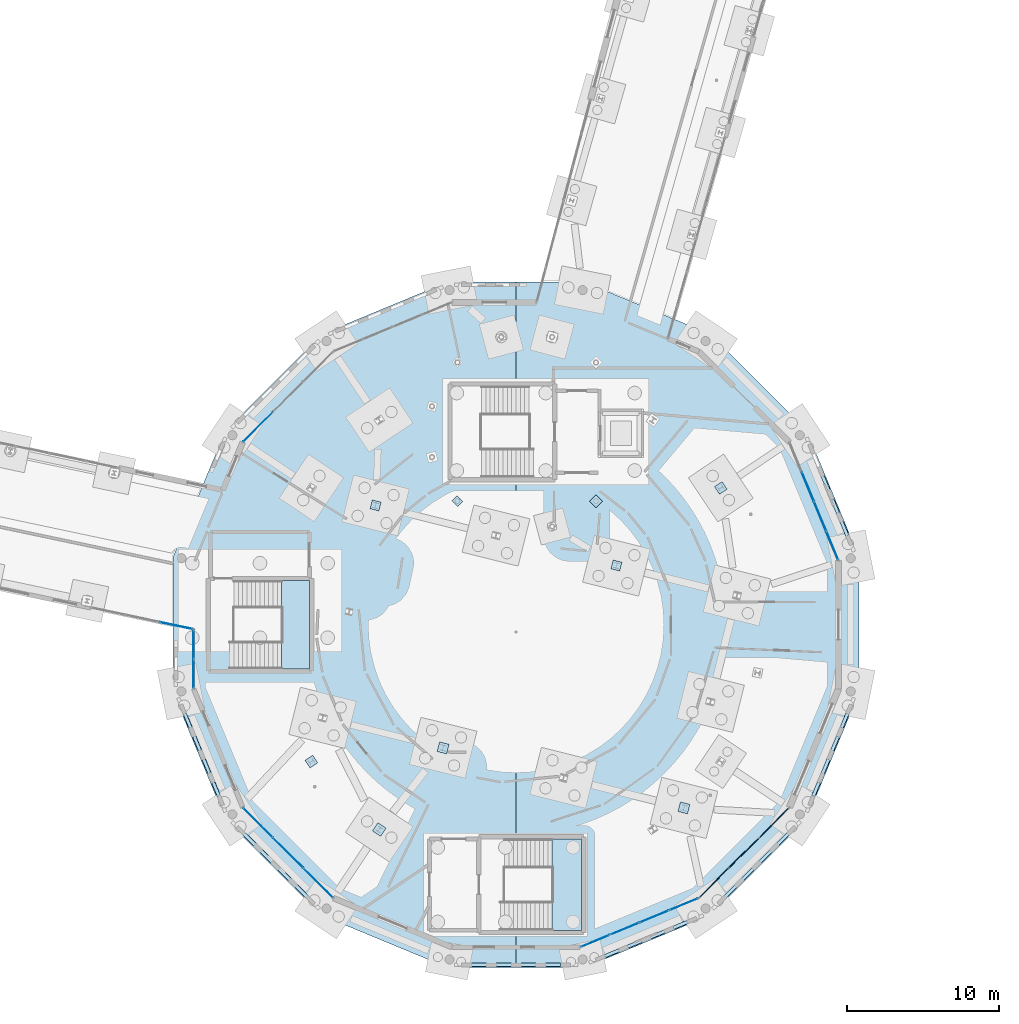
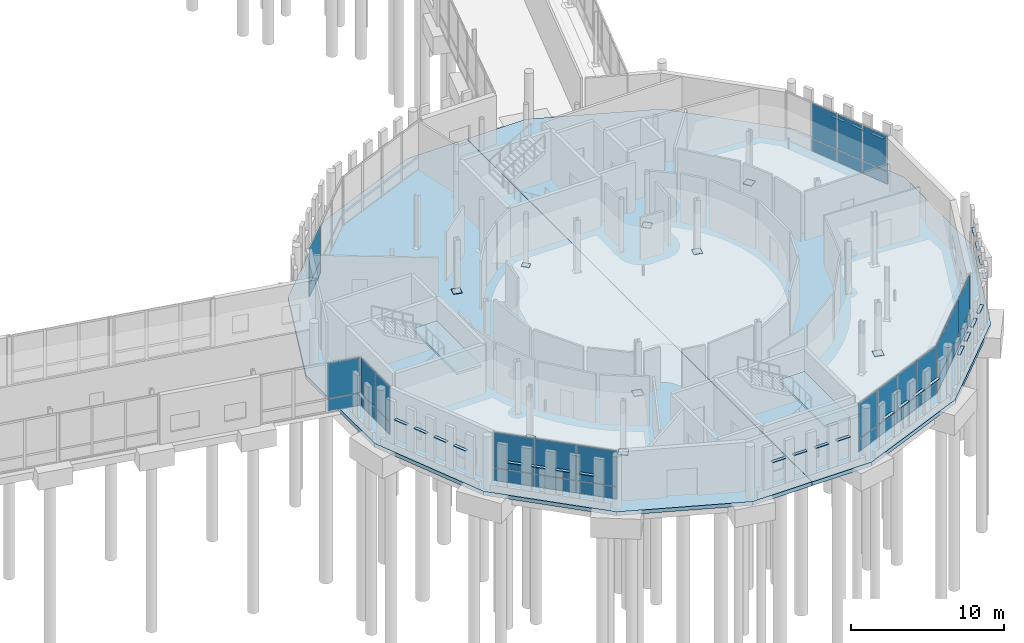
# One storey, part 71 of 113: 70 plates, 4 slabs, 9 elements without a shape of their own.
"""IFC4 building model written with IfcOpenShell, lengths in metres."""

from ifc_helpers import new_model, si_unit, direction, frame, origin, origin_2d, place, context, subcontext, project, spatial, polyline, rectangle, outline, extrude, material, layer, layer_set, type_object, element, aggregate, save


model = new_model("IFC4")

# Units and contexts
model_context = context("Model", 3, precision=1e-05, world=origin(), true_north=direction((0.0, 1.0)))
body_context = subcontext(model_context, "Body", "Model", "MODEL_VIEW")
ifc_project = project(units=[si_unit("LENGTHUNIT", "METRE"), si_unit("AREAUNIT", "SQUARE_METRE"), si_unit("VOLUMEUNIT", "CUBIC_METRE"), si_unit("PLANEANGLEUNIT", "RADIAN"), si_unit("MASSUNIT", "GRAM", prefix="KILO")], contexts=[model_context])

# Site, building, storey
site_placement = place(None, origin())
site = spatial("IfcSite", under=ifc_project, at=site_placement, CompositionType="ELEMENT")
building_placement = place(site_placement, origin())
building = spatial("IfcBuilding", under=site, at=building_placement, Name="Wrenclough Park School", CompositionType="ELEMENT")
storey_placement = place(building_placement, origin())
storey = spatial("IfcBuildingStorey", under=building, at=storey_placement, Name="L00", CompositionType="ELEMENT", Elevation=0.0)

# Curtain wall, plates
ifc_material_1 = material(Name="Thermally broken aluminium and low-e glass curtain wall", Category="aluminium")
curtain_wall_type_1 = type_object("IfcCurtainWallType", Name="ENV-CW-01", PredefinedType="USERDEFINED", material=ifc_material_1)
curtain_wall_1_placement = place(storey_placement, origin())
curtain_wall_1 = element("IfcCurtainWall", 1, at=curtain_wall_1_placement, inside=storey, type_object=curtain_wall_type_1, Name="L00 recessed curtain wall assembly 032", ObjectType="CURTAIN WALL", PredefinedType="USERDEFINED")
ifc_material_2 = material(Name="Double-glazed solar-control low-e glass", Category="glass")
ifc_layer_1 = layer(ifc_material_2, 0.02587890625)
ifc_layer_set_1 = layer_set([ifc_layer_1], Name="Double-glazed solar-control low-e glass")
plate_type_1 = type_object("IfcPlateType", Name="ENV-CWP-GL26", PredefinedType="CURTAIN_PANEL", material=ifc_layer_set_1)
plate_1_placement = place(storey_placement, frame((166.522216796875, 8.105712890625, 0.06982421875), z_axis=(0.0, 0.0, 1.0), x_axis=(-0.923878191205, -0.382686670549, 0.0)))
plate_1 = element("IfcPlate", 2, at=plate_1_placement, type_object=plate_type_1, Name="CW-01 panel 1.1", PredefinedType="CURTAIN_PANEL", context=body_context, shape_type="SweptSolid", body=[
    extrude(rectangle(XDim=2.002685546875, YDim=0.02587890625, at=origin_2d()), origin(), (0.0, 0.0, 1.0), 0.945068359375),
])
plate_2_placement = place(storey_placement, frame((166.522216796875, 8.105712890625, 1.0849609375), z_axis=(0.0, 0.0, 1.0), x_axis=(-0.923878191205, -0.382686670549, 0.0)))
plate_2 = element("IfcPlate", 3, at=plate_2_placement, type_object=plate_type_1, Name="CW-01 panel 1.2", PredefinedType="CURTAIN_PANEL", context=body_context, shape_type="SweptSolid", body=[
    extrude(rectangle(XDim=2.002685546875, YDim=0.02587890625, at=origin_2d()), origin(), (0.0, 0.0, 1.0), 2.784912109375),
])
plate_3_placement = place(storey_placement, frame((164.591064453125, 7.305908203125, 0.06982421875), z_axis=(0.0, 0.0, 1.0), x_axis=(-0.923878191205, -0.382686670549, 0.0)))
plate_3 = element("IfcPlate", 4, at=plate_3_placement, type_object=plate_type_1, Name="CW-01 panel 2.1", PredefinedType="CURTAIN_PANEL", context=body_context, shape_type="SweptSolid", body=[
    extrude(rectangle(XDim=2.03759765625, YDim=0.02587890625, at=origin_2d()), origin(), (0.0, 0.0, 1.0), 0.945068359375),
])
plate_4_placement = place(storey_placement, frame((164.591064453125, 7.305908203125, 1.0849609375), z_axis=(0.0, 0.0, 1.0), x_axis=(-0.923878191205, -0.382686670549, 0.0)))
plate_4 = element("IfcPlate", 5, at=plate_4_placement, type_object=plate_type_1, Name="CW-01 panel 2.2", PredefinedType="CURTAIN_PANEL", context=body_context, shape_type="SweptSolid", body=[
    extrude(rectangle(XDim=2.03759765625, YDim=0.02587890625, at=origin_2d()), origin(), (0.0, 0.0, 1.0), 2.784912109375),
])
plate_5_placement = place(storey_placement, frame((162.643798828125, 6.499267578125, 0.06982421875), z_axis=(0.0, 0.0, 1.0), x_axis=(-0.923878191205, -0.382686670549, 0.0)))
plate_5 = element("IfcPlate", 6, at=plate_5_placement, type_object=plate_type_1, Name="CW-01 panel 3.1", PredefinedType="CURTAIN_PANEL", context=body_context, shape_type="SweptSolid", body=[
    extrude(rectangle(XDim=2.03759765625, YDim=0.02587890625, at=origin_2d()), origin(), (0.0, 0.0, 1.0), 0.945068359375),
])
plate_6_placement = place(storey_placement, frame((162.643798828125, 6.499267578125, 1.0849609375), z_axis=(0.0, 0.0, 1.0), x_axis=(-0.923878191205, -0.382686670549, 0.0)))
plate_6 = element("IfcPlate", 7, at=plate_6_placement, type_object=plate_type_1, Name="CW-01 panel 3.2", PredefinedType="CURTAIN_PANEL", context=body_context, shape_type="SweptSolid", body=[
    extrude(rectangle(XDim=2.03759765625, YDim=0.02587890625, at=origin_2d()), origin(), (0.0, 0.0, 1.0), 2.784912109375),
])
plate_7_placement = place(storey_placement, frame((160.712890625, 5.699462890625, 0.06982421875), z_axis=(0.0, 0.0, 1.0), x_axis=(-0.923878191205, -0.382686670549, 0.0)))
plate_7 = element("IfcPlate", 8, at=plate_7_placement, type_object=plate_type_1, Name="CW-01 panel 4.1", PredefinedType="CURTAIN_PANEL", context=body_context, shape_type="SweptSolid", body=[
    extrude(rectangle(XDim=2.002685546875, YDim=0.02587890625, at=origin_2d()), origin(), (0.0, 0.0, 1.0), 0.945068359375),
])
plate_8_placement = place(storey_placement, frame((160.712890625, 5.699462890625, 1.0849609375), z_axis=(0.0, 0.0, 1.0), x_axis=(-0.923878191205, -0.382686670549, 0.0)))
plate_8 = element("IfcPlate", 9, at=plate_8_placement, type_object=plate_type_1, Name="CW-01 panel 4.2", PredefinedType="CURTAIN_PANEL", context=body_context, shape_type="SweptSolid", body=[
    extrude(rectangle(XDim=2.002685546875, YDim=0.02587890625, at=origin_2d()), origin(), (0.0, 0.0, 1.0), 2.784912109375),
])
aggregate(curtain_wall_1, [plate_1, plate_2, plate_3, plate_4, plate_5, plate_6, plate_7, plate_8])

curtain_wall_type_2 = type_object("IfcCurtainWallType", Name="ENV-CW-02", PredefinedType="USERDEFINED", material=ifc_material_1)
curtain_wall_2_placement = place(storey_placement, origin())
curtain_wall_2 = element("IfcCurtainWall", 10, at=curtain_wall_2_placement, inside=storey, type_object=curtain_wall_type_2, Name="L00 recessed curtain wall assembly 033", ObjectType="CURTAIN WALL", PredefinedType="USERDEFINED")
ifc_material_3 = material(Name="Double-glazed acoustic low-e glass", Category="glass")
ifc_layer_2 = layer(ifc_material_3, 0.030029296875)
ifc_layer_set_2 = layer_set([ifc_layer_2], Name="Double-glazed acoustic low-e glass")
plate_type_2 = type_object("IfcPlateType", Name="ENV-CWP-GL30", PredefinedType="CURTAIN_PANEL", material=ifc_layer_set_2)
plate_9_placement = place(storey_placement, frame((142.477294921875, 9.524169921875, 0.06005859375), z_axis=(0.0, 0.0, 1.0), x_axis=(-0.707106781187, 0.707106781187, 0.0)))
plate_9 = element("IfcPlate", 11, at=plate_9_placement, type_object=plate_type_2, Name="CW-02 panel 1.1", PredefinedType="CURTAIN_PANEL", context=body_context, shape_type="SweptSolid", body=[
    extrude(rectangle(XDim=2.72021484375, YDim=0.030029296875, at=origin_2d()), origin(), (0.0, 0.0, 1.0), 0.9599609375),
])
plate_10_placement = place(storey_placement, frame((142.477294921875, 9.524169921875, 1.080078125), z_axis=(0.0, 0.0, 1.0), x_axis=(-0.707106781187, 0.707106781187, 0.0)))
plate_10 = element("IfcPlate", 12, at=plate_10_placement, type_object=plate_type_2, Name="CW-02 panel 1.2", PredefinedType="CURTAIN_PANEL", context=body_context, shape_type="SweptSolid", body=[
    extrude(rectangle(XDim=2.72021484375, YDim=0.030029296875, at=origin_2d()), origin(), (0.0, 0.0, 1.0), 2.800048828125),
])
plate_11_placement = place(storey_placement, frame((140.500732421875, 11.500732421875, 0.06005859375), z_axis=(0.0, 0.0, 1.0), x_axis=(-0.707106781187, 0.707106781187, 0.0)))
plate_11 = element("IfcPlate", 13, at=plate_11_placement, type_object=plate_type_2, Name="CW-02 panel 2.1", PredefinedType="CURTAIN_PANEL", context=body_context, shape_type="SweptSolid", body=[
    extrude(rectangle(XDim=2.750244140625, YDim=0.030029296875, at=origin_2d()), origin(), (0.0, 0.0, 1.0), 0.9599609375),
])
plate_12_placement = place(storey_placement, frame((140.500732421875, 11.500732421875, 1.080078125), z_axis=(0.0, 0.0, 1.0), x_axis=(-0.707106781187, 0.707106781187, 0.0)))
plate_12 = element("IfcPlate", 14, at=plate_12_placement, type_object=plate_type_2, Name="CW-02 panel 2.2", PredefinedType="CURTAIN_PANEL", context=body_context, shape_type="SweptSolid", body=[
    extrude(rectangle(XDim=2.750244140625, YDim=0.030029296875, at=origin_2d()), origin(), (0.0, 0.0, 1.0), 2.800048828125),
])
plate_13_placement = place(storey_placement, frame((138.524169921875, 13.477294921875, 0.06005859375), z_axis=(0.0, 0.0, 1.0), x_axis=(-0.707106781187, 0.707106781187, 0.0)))
plate_13 = element("IfcPlate", 15, at=plate_13_placement, type_object=plate_type_2, Name="CW-02 panel 3.1", PredefinedType="CURTAIN_PANEL", context=body_context, shape_type="SweptSolid", body=[
    extrude(rectangle(XDim=2.72021484375, YDim=0.030029296875, at=origin_2d()), origin(), (0.0, 0.0, 1.0), 0.9599609375),
])
plate_14_placement = place(storey_placement, frame((138.524169921875, 13.477294921875, 1.080078125), z_axis=(0.0, 0.0, 1.0), x_axis=(-0.707106781187, 0.707106781187, 0.0)))
plate_14 = element("IfcPlate", 16, at=plate_14_placement, type_object=plate_type_2, Name="CW-02 panel 3.2", PredefinedType="CURTAIN_PANEL", context=body_context, shape_type="SweptSolid", body=[
    extrude(rectangle(XDim=2.72021484375, YDim=0.030029296875, at=origin_2d()), origin(), (0.0, 0.0, 1.0), 2.800048828125),
])
aggregate(curtain_wall_2, [plate_9, plate_10, plate_11, plate_12, plate_13, plate_14])

curtain_wall_type_3 = type_object("IfcCurtainWallType", Name="ENV-CW-10", PredefinedType="USERDEFINED", material=ifc_material_1)
curtain_wall_3_placement = place(storey_placement, origin())
curtain_wall_3 = element("IfcCurtainWall", 17, at=curtain_wall_3_placement, inside=storey, type_object=curtain_wall_type_3, Name="L00 recessed curtain wall assembly 057", ObjectType="CURTAIN WALL", PredefinedType="USERDEFINED")
plate_15_placement = place(storey_placement, frame((138.524169921875, 39.522705078125, 0.06005859375), z_axis=(0.0, 0.0, 1.0), x_axis=(0.707106781187, 0.707106781187, 0.0)))
plate_15 = element("IfcPlate", 18, at=plate_15_placement, type_object=plate_type_2, Name="CW-10 panel 1.1", PredefinedType="CURTAIN_PANEL", context=body_context, shape_type="SweptSolid", body=[
    extrude(rectangle(XDim=2.72021484375, YDim=0.030029296875, at=origin_2d()), origin(), (0.0, 0.0, 1.0), 0.9599609375),
])
plate_16_placement = place(storey_placement, frame((138.524169921875, 39.522705078125, 1.080078125), z_axis=(0.0, 0.0, 1.0), x_axis=(0.707106781187, 0.707106781187, 0.0)))
plate_16 = element("IfcPlate", 19, at=plate_16_placement, type_object=plate_type_2, Name="CW-10 panel 1.2", PredefinedType="CURTAIN_PANEL", context=body_context, shape_type="SweptSolid", body=[
    extrude(rectangle(XDim=2.72021484375, YDim=0.030029296875, at=origin_2d()), origin(), (0.0, 0.0, 1.0), 2.800048828125),
])
aggregate(curtain_wall_3, [plate_15, plate_16])

curtain_wall_type_4 = type_object("IfcCurtainWallType", Name="ENV-CW-03", PredefinedType="USERDEFINED", material=ifc_material_1)
curtain_wall_4_placement = place(storey_placement, origin())
curtain_wall_4 = element("IfcCurtainWall", 20, at=curtain_wall_4_placement, inside=storey, type_object=curtain_wall_type_4, Name="L00 recessed curtain wall assembly 034", ObjectType="CURTAIN WALL", PredefinedType="USERDEFINED")
ifc_material_4 = material(Name="Triple-glazed senior-lab low-e glass", Category="glass")
ifc_layer_3 = layer(ifc_material_4, 0.033935546875)
ifc_layer_set_3 = layer_set([ifc_layer_3], Name="Triple-glazed senior-lab low-e glass")
plate_type_3 = type_object("IfcPlateType", Name="ENV-CWP-GL34", PredefinedType="CURTAIN_PANEL", material=ifc_layer_set_3)
plate_17_placement = place(storey_placement, frame((134.287841796875, 23.27880859375, 0.06494140625), z_axis=(0.0, 0.0, 1.0), x_axis=(0.0, 1.0, 0.0)))
plate_17 = element("IfcPlate", 21, at=plate_17_placement, type_object=plate_type_3, Name="CW-03 panel 1.1", PredefinedType="CURTAIN_PANEL", context=body_context, shape_type="SweptSolid", body=[
    extrude(rectangle(XDim=1.8583984375, YDim=0.033935546875, at=origin_2d()), origin(), (0.0, 0.0, 1.0), 0.952392578125),
])
plate_18_placement = place(storey_placement, frame((134.287841796875, 23.27880859375, 1.08251953125), z_axis=(0.0, 0.0, 1.0), x_axis=(0.0, 1.0, 0.0)))
plate_18 = element("IfcPlate", 22, at=plate_18_placement, type_object=plate_type_3, Name="CW-03 panel 1.2", PredefinedType="CURTAIN_PANEL", context=body_context, shape_type="SweptSolid", body=[
    extrude(rectangle(XDim=1.8583984375, YDim=0.033935546875, at=origin_2d()), origin(), (0.0, 0.0, 1.0), 2.79248046875),
])
plate_19_placement = place(storey_placement, frame((134.287841796875, 25.202392578125, 0.06494140625), z_axis=(0.0, 0.0, 1.0), x_axis=(0.0, 1.0, 0.0)))
plate_19 = element("IfcPlate", 23, at=plate_19_placement, type_object=plate_type_3, Name="CW-03 panel 2.1", PredefinedType="CURTAIN_PANEL", context=body_context, shape_type="SweptSolid", body=[
    extrude(rectangle(XDim=1.8583984375, YDim=0.033935546875, at=origin_2d()), origin(), (0.0, 0.0, 1.0), 0.952392578125),
])
plate_20_placement = place(storey_placement, frame((134.287841796875, 25.202392578125, 1.08251953125), z_axis=(0.0, 0.0, 1.0), x_axis=(0.0, 1.0, 0.0)))
plate_20 = element("IfcPlate", 24, at=plate_20_placement, type_object=plate_type_3, Name="CW-03 panel 2.2", PredefinedType="CURTAIN_PANEL", context=body_context, shape_type="SweptSolid", body=[
    extrude(rectangle(XDim=1.8583984375, YDim=0.033935546875, at=origin_2d()), origin(), (0.0, 0.0, 1.0), 2.79248046875),
])
aggregate(curtain_wall_4, [plate_17, plate_18, plate_19, plate_20])

curtain_wall_type_5 = type_object("IfcCurtainWallType", Name="ENV-CW-04", PredefinedType="USERDEFINED", material=ifc_material_1)
curtain_wall_5_placement = place(storey_placement, origin())
curtain_wall_5 = element("IfcCurtainWall", 25, at=curtain_wall_5_placement, inside=storey, type_object=curtain_wall_type_5, Name="L00 recessed curtain wall assembly 035", ObjectType="CURTAIN WALL", PredefinedType="USERDEFINED")
ifc_material_5 = material(Name="Laminated sports-concourse safety glass", Category="glass")
ifc_layer_4 = layer(ifc_material_5, 0.0380859375)
ifc_layer_set_4 = layer_set([ifc_layer_4], Name="Laminated sports-concourse safety glass")
plate_type_4 = type_object("IfcPlateType", Name="ENV-CWP-GL38", PredefinedType="CURTAIN_PANEL", material=ifc_layer_set_4)
plate_21_placement = place(storey_placement, frame((133.139892578125, 26.443115234375, 0.06982421875), z_axis=(0.0, 0.0, 1.0), x_axis=(-0.97837949832, 0.206817690897, 0.0)))
plate_21 = element("IfcPlate", 26, at=plate_21_placement, type_object=plate_type_4, Name="CW-04 panel 1.1", PredefinedType="CURTAIN_PANEL", context=body_context, shape_type="SweptSolid", body=[
    extrude(rectangle(XDim=2.19873046875, YDim=0.0380859375, at=origin_2d()), origin(), (0.0, 0.0, 1.0), 0.945068359375),
])
plate_22_placement = place(storey_placement, frame((133.139892578125, 26.443115234375, 1.0849609375), z_axis=(0.0, 0.0, 1.0), x_axis=(-0.97837949832, 0.206817690897, 0.0)))
plate_22 = element("IfcPlate", 27, at=plate_22_placement, type_object=plate_type_4, Name="CW-04 panel 1.2", PredefinedType="CURTAIN_PANEL", context=body_context, shape_type="SweptSolid", body=[
    extrude(rectangle(XDim=2.19873046875, YDim=0.0380859375, at=origin_2d()), origin(), (0.0, 0.0, 1.0), 2.784912109375),
])
aggregate(curtain_wall_5, [plate_21, plate_22])

curtain_wall_type_6 = type_object("IfcCurtainWallType", Name="ENV-CW-15", PredefinedType="USERDEFINED", material=ifc_material_1)
curtain_wall_6_placement = place(storey_placement, origin())
curtain_wall_6 = element("IfcCurtainWall", 28, at=curtain_wall_6_placement, inside=storey, type_object=curtain_wall_type_6, Name="L00 recessed curtain wall assembly 030", ObjectType="CURTAIN WALL", PredefinedType="USERDEFINED")
ifc_material_6 = material(Name="Insulated patinated copper-toned spandrel panel", Category="aluminium")
ifc_layer_5 = layer(ifc_material_6, 0.048095703125)
ifc_layer_set_5 = layer_set([ifc_layer_5], Name="Insulated patinated copper-toned spandrel panel")
plate_type_5 = type_object("IfcPlateType", Name="ENV-CWP-SP48", PredefinedType="CURTAIN_PANEL", material=ifc_layer_set_5)
plate_23_placement = place(storey_placement, frame((174.694091796875, 35.591064453125, 0.06005859375), z_axis=(0.0, 0.0, 1.0), x_axis=(0.382686670549, -0.923878191205, 0.0)))
plate_23 = element("IfcPlate", 29, at=plate_23_placement, type_object=plate_type_5, Name="CW-15 panel 2.1", PredefinedType="CURTAIN_PANEL", context=body_context, shape_type="SweptSolid", body=[
    extrude(rectangle(XDim=2.047607421875, YDim=0.048095703125, at=origin_2d()), origin(), (0.0, 0.0, 1.0), 0.9599609375),
])
plate_24_placement = place(storey_placement, frame((174.694091796875, 35.591064453125, 1.080078125), z_axis=(0.0, 0.0, 1.0), x_axis=(0.382686670549, -0.923878191205, 0.0)))
plate_24 = element("IfcPlate", 30, at=plate_24_placement, type_object=plate_type_5, Name="CW-15 panel 2.2", PredefinedType="CURTAIN_PANEL", context=body_context, shape_type="SweptSolid", body=[
    extrude(rectangle(XDim=2.047607421875, YDim=0.048095703125, at=origin_2d()), origin(), (0.0, 0.0, 1.0), 2.800048828125),
])
plate_25_placement = place(storey_placement, frame((175.500732421875, 33.643798828125, 0.06005859375), z_axis=(0.0, 0.0, 1.0), x_axis=(0.382686670549, -0.923878191205, 0.0)))
plate_25 = element("IfcPlate", 31, at=plate_25_placement, type_object=plate_type_5, Name="CW-15 panel 3.1", PredefinedType="CURTAIN_PANEL", context=body_context, shape_type="SweptSolid", body=[
    extrude(rectangle(XDim=2.047607421875, YDim=0.048095703125, at=origin_2d()), origin(), (0.0, 0.0, 1.0), 0.9599609375),
])
plate_26_placement = place(storey_placement, frame((175.500732421875, 33.643798828125, 1.080078125), z_axis=(0.0, 0.0, 1.0), x_axis=(0.382686670549, -0.923878191205, 0.0)))
plate_26 = element("IfcPlate", 32, at=plate_26_placement, type_object=plate_type_5, Name="CW-15 panel 3.2", PredefinedType="CURTAIN_PANEL", context=body_context, shape_type="SweptSolid", body=[
    extrude(rectangle(XDim=2.047607421875, YDim=0.048095703125, at=origin_2d()), origin(), (0.0, 0.0, 1.0), 2.800048828125),
])
plate_27_placement = place(storey_placement, frame((176.301513671875, 31.71044921875, 0.06005859375), z_axis=(0.0, 0.0, 1.0), x_axis=(0.382686670549, -0.923878191205, 0.0)))
plate_27 = element("IfcPlate", 33, at=plate_27_placement, type_object=plate_type_5, Name="CW-15 panel 4.1", PredefinedType="CURTAIN_PANEL", context=body_context, shape_type="SweptSolid", body=[
    extrude(rectangle(XDim=2.017578125, YDim=0.048095703125, at=origin_2d()), origin(), (0.0, 0.0, 1.0), 0.9599609375),
])
plate_28_placement = place(storey_placement, frame((176.301513671875, 31.71044921875, 1.080078125), z_axis=(0.0, 0.0, 1.0), x_axis=(0.382686670549, -0.923878191205, 0.0)))
plate_28 = element("IfcPlate", 34, at=plate_28_placement, type_object=plate_type_5, Name="CW-15 panel 4.2", PredefinedType="CURTAIN_PANEL", context=body_context, shape_type="SweptSolid", body=[
    extrude(rectangle(XDim=2.017578125, YDim=0.048095703125, at=origin_2d()), origin(), (0.0, 0.0, 1.0), 2.800048828125),
])
aggregate(curtain_wall_6, [plate_23, plate_24, plate_25, plate_26, plate_27, plate_28])

curtain_wall_type_7 = type_object("IfcCurtainWallType", Name="ENV-CW-16", PredefinedType="USERDEFINED", material=ifc_material_1)
curtain_wall_7_placement = place(storey_placement, origin())
curtain_wall_7 = element("IfcCurtainWall", 35, at=curtain_wall_7_placement, inside=storey, type_object=curtain_wall_type_7, Name="L00 recessed curtain wall assembly 031", ObjectType="CURTAIN WALL", PredefinedType="USERDEFINED")
ifc_material_7 = material(Name="Acoustic mineral-wool spandrel cassette", Category="aluminium")
ifc_layer_6 = layer(ifc_material_7, 0.053955078125)
ifc_layer_set_6 = layer_set([ifc_layer_6], Name="Acoustic mineral-wool spandrel cassette")
plate_type_6 = type_object("IfcPlateType", Name="ENV-CWP-SP54", PredefinedType="CURTAIN_PANEL", material=ifc_layer_set_6)
plate_29_placement = place(storey_placement, frame((172.474853515625, 13.4765625, 0.06494140625), z_axis=(0.0, 0.0, 1.0), x_axis=(-0.707106781187, -0.707106781187, 0.0)))
plate_29 = element("IfcPlate", 36, at=plate_29_placement, type_object=plate_type_6, Name="CW-16 panel 1.1", PredefinedType="CURTAIN_PANEL", context=body_context, shape_type="SweptSolid", body=[
    extrude(rectangle(XDim=2.712890625, YDim=0.053955078125, at=origin_2d()), origin(), (0.0, 0.0, 1.0), 0.952392578125),
])
plate_30_placement = place(storey_placement, frame((172.474853515625, 13.4765625, 1.08251953125), z_axis=(0.0, 0.0, 1.0), x_axis=(-0.707106781187, -0.707106781187, 0.0)))
plate_30 = element("IfcPlate", 37, at=plate_30_placement, type_object=plate_type_6, Name="CW-16 panel 1.2", PredefinedType="CURTAIN_PANEL", context=body_context, shape_type="SweptSolid", body=[
    extrude(rectangle(XDim=2.712890625, YDim=0.053955078125, at=origin_2d()), origin(), (0.0, 0.0, 1.0), 2.79248046875),
])
plate_31_placement = place(storey_placement, frame((170.499267578125, 11.500732421875, 0.06494140625), z_axis=(0.0, 0.0, 1.0), x_axis=(-0.707106781187, -0.707106781187, 0.0)))
plate_31 = element("IfcPlate", 38, at=plate_31_placement, type_object=plate_type_6, Name="CW-16 panel 2.1", PredefinedType="CURTAIN_PANEL", context=body_context, shape_type="SweptSolid", body=[
    extrude(rectangle(XDim=2.745361328125, YDim=0.053955078125, at=origin_2d()), origin(), (0.0, 0.0, 1.0), 0.952392578125),
])
plate_32_placement = place(storey_placement, frame((170.499267578125, 11.500732421875, 1.08251953125), z_axis=(0.0, 0.0, 1.0), x_axis=(-0.707106781187, -0.707106781187, 0.0)))
plate_32 = element("IfcPlate", 39, at=plate_32_placement, type_object=plate_type_6, Name="CW-16 panel 2.2", PredefinedType="CURTAIN_PANEL", context=body_context, shape_type="SweptSolid", body=[
    extrude(rectangle(XDim=2.745361328125, YDim=0.053955078125, at=origin_2d()), origin(), (0.0, 0.0, 1.0), 2.79248046875),
])
plate_33_placement = place(storey_placement, frame((168.5234375, 9.525146484375, 0.06494140625), z_axis=(0.0, 0.0, 1.0), x_axis=(-0.707106781187, -0.707106781187, 0.0)))
plate_33 = element("IfcPlate", 40, at=plate_33_placement, type_object=plate_type_6, Name="CW-16 panel 3.1", PredefinedType="CURTAIN_PANEL", context=body_context, shape_type="SweptSolid", body=[
    extrude(rectangle(XDim=2.712890625, YDim=0.053955078125, at=origin_2d()), origin(), (0.0, 0.0, 1.0), 0.952392578125),
])
plate_34_placement = place(storey_placement, frame((168.5234375, 9.525146484375, 1.08251953125), z_axis=(0.0, 0.0, 1.0), x_axis=(-0.707106781187, -0.707106781187, 0.0)))
plate_34 = element("IfcPlate", 41, at=plate_34_placement, type_object=plate_type_6, Name="CW-16 panel 3.2", PredefinedType="CURTAIN_PANEL", context=body_context, shape_type="SweptSolid", body=[
    extrude(rectangle(XDim=2.712890625, YDim=0.053955078125, at=origin_2d()), origin(), (0.0, 0.0, 1.0), 2.79248046875),
])
aggregate(curtain_wall_7, [plate_29, plate_30, plate_31, plate_32, plate_33, plate_34])

# Plates
ifc_material_8 = material(Name="Anodised architectural aluminium solar shading fin plate", Category="aluminium")
ifc_layer_7 = layer(ifc_material_8, 0.0380859375)
ifc_layer_set_7 = layer_set([ifc_layer_7], Name="Anodised architectural aluminium solar shading fin plate")
plate_type_7 = type_object("IfcPlateType", Name="ENV-PL-BSF", PredefinedType="SHEET", material=ifc_layer_set_7)
for number, where, z_axis, x_axis, name in (
    (42, (177.10791015625, 32.810546875, 2.4951171875), (0.0, 0.0, 1.0), (-0.382692183809, 0.923875907496, 0.0), "D1 L00 open-bond brick screen tie band 0001"),
    (43, (176.485595703125, 34.312744140625, 2.4951171875), (0.0, 0.0, 1.0), (-0.382692183809, 0.923875907496, 0.0), "D1 L00 open-bond brick screen tie band 0002"),
    (44, (175.863525390625, 35.81494140625, 2.4951171875), (0.0, 0.0, 1.0), (-0.382692183809, 0.923875907496, 0.0), "D1 L00 open-bond brick screen tie band 0003"),
    (45, (133.89208984375, 20.189453125, 2.4951171875), (0.0, 0.0, 1.0), (0.382692183809, -0.923875907496, 0.0), "D1 L00 open-bond brick screen tie band 0017"),
    (46, (134.514404296875, 18.687255859375, 2.4951171875), (0.0, 0.0, 1.0), (0.382692183809, -0.923875907496, 0.0), "D1 L00 open-bond brick screen tie band 0018"),
    (47, (135.136474609375, 17.18505859375, 2.4951171875), (0.0, 0.0, 1.0), (0.382692183809, -0.923875907496, 0.0), "D1 L00 open-bond brick screen tie band 0019"),
    (48, (135.7587890625, 15.682861328125, 2.4951171875), (0.0, 0.0, 1.0), (0.382692183809, -0.923875907496, 0.0), "D1 L00 open-bond brick screen tie band 0020"),
    (49, (137.951904296875, 12.40087890625, 2.4951171875), (0.0, 0.0, 1.0), (0.707106781187, -0.707106781187, 0.0), "D1 L00 open-bond brick screen tie band 0021"),
    (50, (139.1015625, 11.251220703125, 2.4951171875), (0.0, 0.0, 1.0), (0.707106781187, -0.707106781187, 0.0), "D1 L00 open-bond brick screen tie band 0022"),
    (51, (140.251220703125, 10.1015625, 2.4951171875), (0.0, 0.0, 1.0), (0.707106781187, -0.707106781187, 0.0), "D1 L00 open-bond brick screen tie band 0023"),
    (52, (141.40087890625, 8.951904296875, 2.4951171875), (0.0, 0.0, 1.0), (0.707106781187, -0.707106781187, 0.0), "D1 L00 open-bond brick screen tie band 0024"),
    (53, (153.06103515625, 4.121826171875, 2.4951171875), (0.0, 0.0, 1.0), (1.0, 0.0, 0.0), "D1 L00 open-bond brick screen tie band 0025"),
    (54, (154.68701171875, 4.121826171875, 2.4951171875), (0.0, 0.0, 1.0), (1.0, 0.0, 0.0), "D1 L00 open-bond brick screen tie band 0026"),
    (55, (156.31298828125, 4.121826171875, 2.4951171875), (0.0, 0.0, 1.0), (1.0, 0.0, 0.0), "D1 L00 open-bond brick screen tie band 0027"),
    (56, (157.93896484375, 4.121826171875, 2.4951171875), (0.0, 0.0, 1.0), (1.0, 0.0, 0.0), "D1 L00 open-bond brick screen tie band 0028"),
    (57, (161.810546875, 4.89208984375, 2.4951171875), (0.0, 0.0, 1.0), (0.923875907496, 0.382692183809, 0.0), "D1 L00 open-bond brick screen tie band 0029"),
    (58, (163.312744140625, 5.514404296875, 2.4951171875), (0.0, 0.0, 1.0), (0.923875907496, 0.382692183809, 0.0), "D1 L00 open-bond brick screen tie band 0030"),
    (59, (164.81494140625, 6.136474609375, 2.4951171875), (0.0, 0.0, 1.0), (0.923875907496, 0.382692183809, 0.0), "D1 L00 open-bond brick screen tie band 0031"),
    (60, (166.317138671875, 6.7587890625, 2.4951171875), (0.0, 0.0, 1.0), (0.923875907496, 0.382692183809, 0.0), "D1 L00 open-bond brick screen tie band 0032"),
    (61, (169.59912109375, 8.951904296875, 2.4951171875), (0.0, 0.0, 1.0), (0.707106781187, 0.707106781187, 0.0), "D1 L00 open-bond brick screen tie band 0033"),
    (62, (170.748779296875, 10.1015625, 2.4951171875), (0.0, 0.0, 1.0), (0.707106781187, 0.707106781187, 0.0), "D1 L00 open-bond brick screen tie band 0034"),
    (63, (171.8984375, 11.251220703125, 2.4951171875), (0.0, 0.0, 1.0), (0.707106781187, 0.707106781187, 0.0), "D1 L00 open-bond brick screen tie band 0035"),
    (64, (173.048095703125, 12.40087890625, 2.4951171875), (0.0, 0.0, 1.0), (0.707106781187, 0.707106781187, 0.0), "D1 L00 open-bond brick screen tie band 0036"),
    (65, (175.2412109375, 15.682861328125, 2.4951171875), (0.0, 0.0, 1.0), (0.382692183809, 0.923875907496, 0.0), "D1 L00 open-bond brick screen tie band 0037"),
    (66, (175.863525390625, 17.18505859375, 2.4951171875), (0.0, 0.0, 1.0), (0.382692183809, 0.923875907496, 0.0), "D1 L00 open-bond brick screen tie band 0038"),
    (67, (176.485595703125, 18.687255859375, 2.4951171875), (0.0, 0.0, 1.0), (0.382692183809, 0.923875907496, 0.0), "D1 L00 open-bond brick screen tie band 0039"),
    (68, (177.10791015625, 20.189453125, 2.4951171875), (0.0, 0.0, 1.0), (0.382692183809, 0.923875907496, 0.0), "D1 L00 open-bond brick screen tie band 0040"),
):
    element("IfcPlate", number, at=place(storey_placement, frame(where, z_axis=z_axis, x_axis=x_axis)), inside=storey, type_object=plate_type_7, Name=name, PredefinedType="SHEET", context=body_context, shape_type="SweptSolid", body=[
        extrude(rectangle(XDim=0.992919921875, YDim=0.219970703125, at=origin_2d()), origin(), (0.0, 0.0, 1.0), 0.0419921875),
    ])

# Stair, slab
ifc_material_9 = material(Name="Precast concrete C40/50", Category="concrete")
stair_type_1 = type_object("IfcStairType", Name="INT-ST-190-42", PredefinedType="HALF_TURN_STAIR", material=ifc_material_9)
stair_1_placement = place(storey_placement, origin())
stair_1 = element("IfcStair", 69, at=stair_1_placement, inside=storey, type_object=stair_type_1, Name="L00 escape stair ST-09", PredefinedType="HALF_TURN_STAIR")
ifc_layer_8 = layer(ifc_material_9, 0.195068359375)
ifc_layer_set_8 = layer_set([ifc_layer_8], Name="Precast concrete C40/50")
slab_type_1 = type_object("IfcSlabType", Name="INT-SL-LAND195", PredefinedType="LANDING", material=ifc_layer_set_8)
slab_1_placement = place(storey_placement, frame((0.0, 0.0, 1.989013671875)))
slab_1 = element("IfcSlab", 70, at=slab_1_placement, type_object=slab_type_1, Name="ST-09 landing 1", PredefinedType="LANDING", context=body_context, shape_type="SweptSolid", body=[
    extrude(outline(polyline([(157.876953125, 6.39990234375), (159.800048828125, 6.39990234375), (159.800048828125, 12.39990234375), (157.876953125, 12.39990234375), (157.876953125, 6.39990234375)])), origin(), (0.0, 0.0, 1.0), 0.195068359375),
])
aggregate(stair_1, [slab_1])

stair_type_2 = type_object("IfcStairType", Name="INT-ST-180-42", PredefinedType="HALF_TURN_STAIR", material=ifc_material_9)
stair_2_placement = place(storey_placement, origin())
stair_2 = element("IfcStair", 71, at=stair_2_placement, inside=storey, type_object=stair_type_2, Name="L00 escape stair ST-12", PredefinedType="HALF_TURN_STAIR")
slab_2_placement = place(storey_placement, frame((0.0, 0.0, 1.989013671875)))
slab_2 = element("IfcSlab", 72, at=slab_2_placement, type_object=slab_type_1, Name="ST-12 landing 1", PredefinedType="LANDING", context=body_context, shape_type="SweptSolid", body=[
    extrude(outline(polyline([(140.076904296875, 23.60009765625), (141.89990234375, 23.60009765625), (141.89990234375, 29.39990234375), (140.076904296875, 29.39990234375), (140.076904296875, 23.60009765625)])), origin(), (0.0, 0.0, 1.0), 0.195068359375),
])
aggregate(stair_2, [slab_2])

# Plates
ifc_material_10 = material(Name="Structural steel S355", Category="steel")
ifc_layer_9 = layer(ifc_material_10, 0.031982421875)
ifc_layer_set_9 = layer_set([ifc_layer_9], Name="Structural steel S355")
plate_type_8 = type_object("IfcPlateType", Name="STR-PL-BP1", PredefinedType="SHEET", material=ifc_layer_set_9)
for number, where, z_axis, x_axis, name in (
    (73, (150.696044921875, 18.401611328125, 0.0), (0.0, 0.0, 1.0), (0.970295726276, -0.2419218956, 0.0), "Steel column baseplate D1HR-1-0"),
    (74, (166.544189453125, 14.4501953125, 0.0), (0.0, 0.0, 1.0), (0.970295726276, -0.2419218956, 0.0), "Steel column baseplate D1HR-3-0"),
    (75, (146.499755859375, 13.0302734375, 0.0), (0.0, 0.0, 1.0), (0.831469612303, -0.55557023302, 0.0), "Steel column baseplate D1-MID-11"),
):
    element("IfcPlate", number, at=place(storey_placement, frame(where, z_axis=z_axis, x_axis=x_axis)), inside=storey, type_object=plate_type_8, Name=name, PredefinedType="SHEET", context=body_context, shape_type="SweptSolid", body=[
        extrude(rectangle(XDim=0.64990234375, YDim=0.64990234375, at=origin_2d()), origin(), (0.0, 0.0, 1.0), 0.031982421875),
    ])
ifc_layer_10 = layer(ifc_material_10, 0.028076171875)
ifc_layer_set_10 = layer_set([ifc_layer_10], Name="Structural steel S355")
plate_type_9 = type_object("IfcPlateType", Name="STR-PL-BP2", PredefinedType="SHEET", material=ifc_layer_set_10)
plate_35_placement = place(storey_placement, frame((151.63916015625, 34.63916015625, 0.0), z_axis=(0.0, 0.0, 1.0), x_axis=(0.707106781187, -0.707106781187, 0.0)))
element("IfcPlate", 76, at=plate_35_placement, inside=storey, type_object=plate_type_9, Name="Steel column baseplate D1SH-08", PredefinedType="SHEET", context=body_context, shape_type="SweptSolid", body=[
    extrude(rectangle(XDim=0.550048828125, YDim=0.449951171875, at=origin_2d()), origin(), (0.0, 0.0, 1.0), 0.028076171875),
])
ifc_layer_11 = layer(ifc_material_10, 0.030029296875)
ifc_layer_set_11 = layer_set([ifc_layer_11], Name="Structural steel S355")
plate_type_10 = type_object("IfcPlateType", Name="STR-PL-BP4", PredefinedType="SHEET", material=ifc_layer_set_11)
for number, where, z_axis, x_axis, name in (
    (77, (146.255615234375, 34.349609375, 0.0), (0.0, 0.0, 1.0), (0.970295726276, -0.2419218956, 0.0), "Steel column baseplate D1HR-0-2"),
    (78, (162.10400390625, 30.398193359375, 0.0), (0.0, 0.0, 1.0), (0.970295726276, -0.2419218956, 0.0), "Steel column baseplate D1HR-2-2"),
    (79, (160.7607421875, 34.63916015625, 0.0), (0.0, 0.0, 1.0), (0.707106781187, 0.707106781187, 0.0), "Steel column baseplate D1SH-11"),
    (80, (168.9697265625, 35.500244140625, 0.0), (0.0, 0.0, 1.0), (-0.55557023302, 0.831469612303, 0.0), "Steel column baseplate D1-MID-02"),
    (81, (142.0302734375, 17.499755859375, 0.0), (0.0, 0.0, 1.0), (0.55557023302, -0.831469612303, 0.0), "Steel column baseplate D1-MID-10"),
):
    element("IfcPlate", number, at=place(storey_placement, frame(where, z_axis=z_axis, x_axis=x_axis)), inside=storey, type_object=plate_type_10, Name=name, PredefinedType="SHEET", context=body_context, shape_type="SweptSolid", body=[
        extrude(rectangle(XDim=0.60009765625, YDim=0.60009765625, at=origin_2d()), origin(), (0.0, 0.0, 1.0), 0.030029296875),
    ])

# Slabs
ifc_material_11 = material(Name="Concrete C35/45", Category="concrete")
ifc_layer_12 = layer(ifc_material_11, 0.300048828125)
ifc_layer_set_12 = layer_set([ifc_layer_12], Name="Concrete C35/45")
slab_type_2 = type_object("IfcSlabType", Name="STR-SL-BASE300", PredefinedType="BASESLAB", material=ifc_layer_set_12)
slab_3_placement = place(storey_placement, frame((0.0, 0.0, -0.300048828125)))
element("IfcSlab", 82, at=slab_3_placement, inside=storey, type_object=slab_type_2, Name="D1 L00 structural slab SLAB-D1-L00-W", PredefinedType="BASESLAB", context=body_context, shape_type="SweptSolid", body=[
    extrude(outline(polyline([(151.012939453125, 3.94189453125), (155.493896484375, 3.94189453125), (155.493896484375, 49.05810546875), (151.012939453125, 49.05810546875), (142.721923828125, 45.623779296875), (136.376220703125, 39.278076171875), (132.94189453125, 30.987060546875), (132.94189453125, 22.012939453125), (136.376220703125, 13.721923828125), (142.721923828125, 7.376220703125), (151.012939453125, 3.94189453125)])), origin(), (0.0, 0.0, 1.0), 0.300048828125),
])
slab_4_placement = place(storey_placement, frame((0.0, 0.0, -0.300048828125)))
element("IfcSlab", 83, at=slab_4_placement, inside=storey, type_object=slab_type_2, Name="D1 L00 structural slab SLAB-D1-L00-E", PredefinedType="BASESLAB", context=body_context, shape_type="SweptSolid", body=[
    extrude(outline(polyline([(159.987060546875, 49.05810546875), (155.506103515625, 49.05810546875), (155.506103515625, 3.94189453125), (159.987060546875, 3.94189453125), (168.278076171875, 7.376220703125), (174.623779296875, 13.721923828125), (178.05810546875, 22.012939453125), (178.05810546875, 30.987060546875), (174.623779296875, 39.278076171875), (168.278076171875, 45.623779296875), (159.987060546875, 49.05810546875)])), origin(), (0.0, 0.0, 1.0), 0.300048828125),
])

save(model, "model.ifc")
